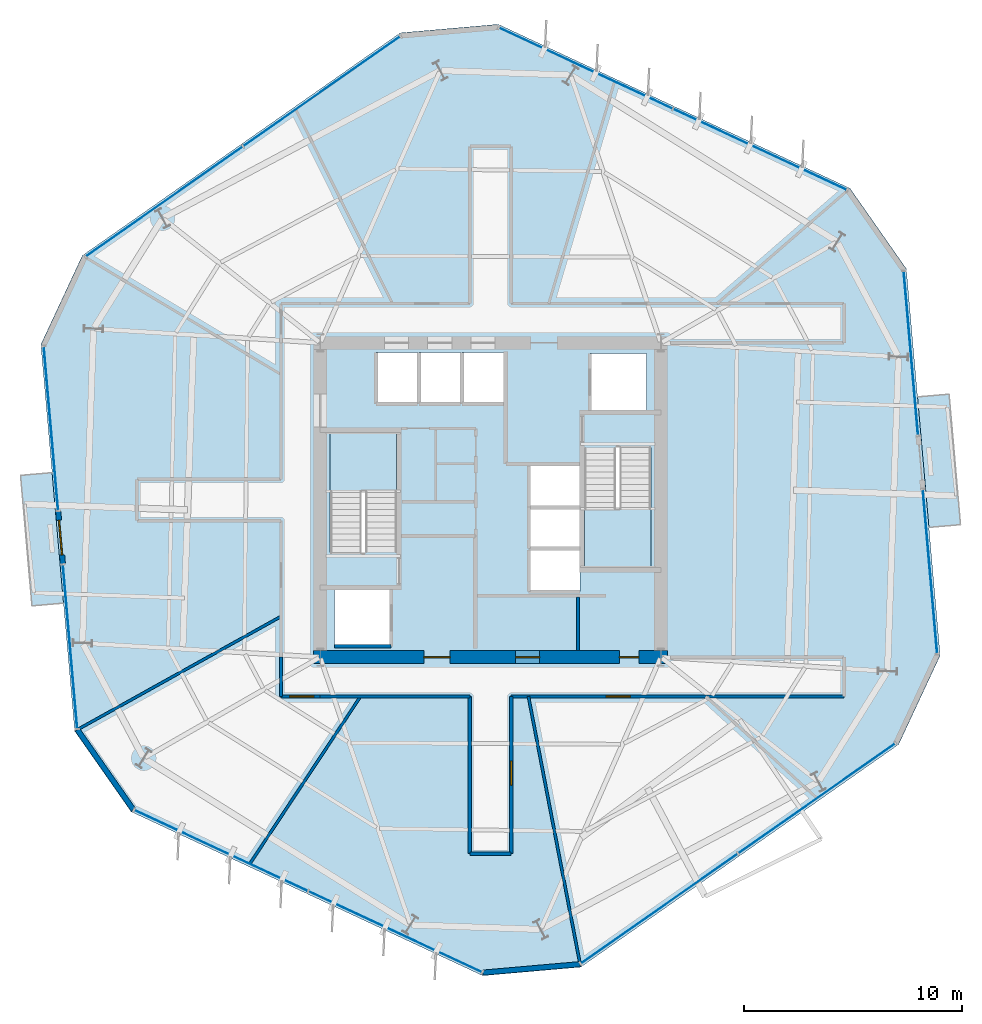
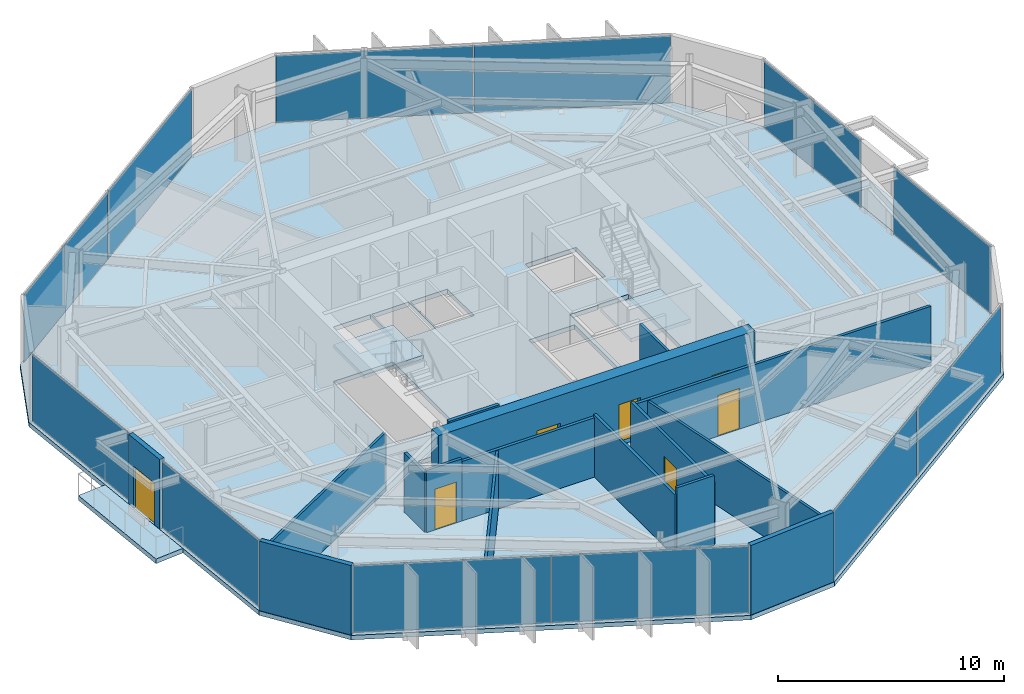
# One storey, part 6 of 13: 16 walls, 12 plates, 7 doors, 5 slabs, 7 openings, 10 elements without a shape of their own.
"""IFC4 building model written with IfcOpenShell, lengths in metres."""

from ifc_helpers import new_model, si_unit, direction, frame, frame_2d, origin, origin_2d, place, context, subcontext, project, spatial, polyline, rectangle, outline, extrude, material, layer, layer_set, type_object, element, fill, aggregate, save


model = new_model("IFC4")

# Units and contexts
model_context = context("Model", 3, precision=1e-05, world=origin(), true_north=direction((0.0, 1.0)))
body_context = subcontext(model_context, "Body", "Model", "MODEL_VIEW")
ifc_project = project(units=[si_unit("LENGTHUNIT", "METRE"), si_unit("AREAUNIT", "SQUARE_METRE"), si_unit("VOLUMEUNIT", "CUBIC_METRE"), si_unit("PLANEANGLEUNIT", "RADIAN"), si_unit("MASSUNIT", "GRAM", prefix="KILO")], contexts=[model_context])

# Site, building, storey
site_placement = place(None, origin())
site = spatial("IfcSite", under=ifc_project, at=site_placement, CompositionType="ELEMENT")
building_placement = place(site_placement, origin())
building = spatial("IfcBuilding", under=site, at=building_placement, Name="Kranzbogen Civic Tower", CompositionType="ELEMENT")
storey_placement = place(building_placement, frame((0.0, 0.0, 162.39990234375)))
storey = spatial("IfcBuildingStorey", under=building, at=storey_placement, Name="L39", CompositionType="ELEMENT", Elevation=162.39990234375)

# Slab
ifc_material_1 = material(Name="Concrete C40/50", Category="concrete")
ifc_layer_1 = layer(ifc_material_1, 0.239990234375, Name="Concrete C40/50")
ifc_layer_set_1 = layer_set([ifc_layer_1], Name="Concrete C40/50")
slab_type_1 = type_object("IfcSlabType", Name="Composite Lower Tower Floor Slab 240 mm", PredefinedType="FLOOR", material=ifc_layer_set_1)
slab_1_placement = place(storey_placement, frame((0.0, 0.0, -0.239990234375)))
element("IfcSlab", 1, at=slab_1_placement, inside=storey, type_object=slab_type_1, Name="L39 tower floor slab", PredefinedType="FLOOR", context=body_context, shape_type="SweptSolid", body=[
    extrude(outline(polyline([(41.468017578125, 39.278076171875), (25.35205078125, 46.79296875), (20.868896484375, 46.40087890625), (6.302978515625, 36.200927734375), (4.40087890625, 32.123046875), (5.950927734375, 14.407958984375), (8.531982421875, 10.721923828125), (24.64794921875, 3.20703125), (29.131103515625, 3.59912109375), (43.697021484375, 13.799072265625), (45.59912109375, 17.876953125), (44.049072265625, 35.592041015625), (41.468017578125, 39.278076171875)]), holes=[polyline([(20.449951171875, 20.89990234375), (20.449951171875, 18.300048828125), (17.85009765625, 18.300048828125), (17.85009765625, 20.89990234375), (20.449951171875, 20.89990234375)]), polyline([(29.10009765625, 22.699951171875), (29.10009765625, 20.800048828125), (26.75, 20.800048828125), (26.75, 22.699951171875), (29.10009765625, 22.699951171875)]), polyline([(29.10009765625, 24.64990234375), (29.10009765625, 22.77490234375), (26.75, 22.77490234375), (26.75, 24.64990234375), (26.75, 24.675048828125), (26.75, 26.550048828125), (29.10009765625, 26.550048828125), (29.10009765625, 24.675048828125), (29.10009765625, 24.64990234375)]), polyline([(30.75, 27.340087890625), (30.75, 27.39990234375), (32.35009765625, 27.39990234375), (32.35009765625, 21.89990234375), (29.300048828125, 21.89990234375), (29.300048828125, 27.340087890625), (30.75, 27.340087890625)]), polyline([(19.25, 22.659912109375), (19.25, 22.60009765625), (17.64990234375, 22.60009765625), (17.64990234375, 28.10009765625), (20.699951171875, 28.10009765625), (20.699951171875, 22.659912109375), (19.25, 22.659912109375)]), polyline([(32.14990234375, 31.699951171875), (32.14990234375, 29.10009765625), (29.550048828125, 29.10009765625), (29.550048828125, 31.699951171875), (32.14990234375, 31.699951171875)]), polyline([(21.64990234375, 31.75), (21.64990234375, 29.39990234375), (19.75, 29.39990234375), (19.75, 31.75), (21.64990234375, 31.75)]), polyline([(23.625, 29.39990234375), (21.72509765625, 29.39990234375), (21.72509765625, 31.75), (23.625, 31.75), (23.625, 29.39990234375)]), polyline([(25.60009765625, 29.39990234375), (23.699951171875, 29.39990234375), (23.699951171875, 31.75), (25.60009765625, 31.75), (25.60009765625, 29.39990234375)])]), origin(), (0.0, 0.0, 1.0), 0.239990234375),
])

# Curtain wall, plates
ifc_material_2 = material(Name="Pale Anodised Aluminium", Category="aluminium")
ifc_layer_2 = layer(ifc_material_2, 0.219970703125, Name="Pale Anodised Aluminium")
ifc_layer_set_2 = layer_set([ifc_layer_2], Name="Pale Anodised Aluminium")
curtain_wall_type = type_object("IfcCurtainWallType", Name="Zone 2 Stick Curtain Wall System CW-03", PredefinedType="USERDEFINED", material=ifc_layer_set_2)
curtain_wall_1_placement = place(storey_placement, origin())
curtain_wall_1 = element("IfcCurtainWall", 2, at=curtain_wall_1_placement, inside=storey, type_object=curtain_wall_type, Name="L39 curtain wall CW-L39-F1", ObjectType="STICK CURTAIN WALL", PredefinedType="USERDEFINED")
ifc_material_3 = material(Name="Low-E Triple Glazing Glass", Category="glass")
ifc_layer_3 = layer(ifc_material_3, 0.031982421875, Name="Low-E Triple Glazing Glass")
ifc_layer_set_3 = layer_set([ifc_layer_3], Name="Low-E Triple Glazing Glass")
plate_type = type_object("IfcPlateType", Name="Insulated Low-E Glazing Panel 32 mm", PredefinedType="CURTAIN_PANEL", material=ifc_layer_set_3)
plate_1_placement = place(storey_placement, frame((37.345458984375, 41.05908203125, 0.06005859375), z_axis=(0.0, 0.0, 1.0), x_axis=(-0.906297342068, 0.422640660325, 0.0)))
plate_1 = element("IfcPlate", 3, at=plate_1_placement, type_object=plate_type, Name="CW-03 panel 1.1", PredefinedType="CURTAIN_PANEL", context=body_context, shape_type="SweptSolid", body=[
    extrude(rectangle(XDim=8.74365234375, YDim=0.028076171875, at=origin_2d()), origin(), (0.0, 0.0, 1.0), 3.639892578125),
])
plate_2_placement = place(storey_placement, frame((29.36669921875, 44.780029296875, 0.06005859375), z_axis=(0.0, 0.0, 1.0), x_axis=(-0.906297342068, 0.422640660325, 0.0)))
plate_2 = element("IfcPlate", 4, at=plate_2_placement, type_object=plate_type, Name="CW-03 panel 2.1", PredefinedType="CURTAIN_PANEL", context=body_context, shape_type="SweptSolid", body=[
    extrude(rectangle(XDim=8.74365234375, YDim=0.028076171875, at=origin_2d()), origin(), (0.0, 0.0, 1.0), 3.639892578125),
])
aggregate(curtain_wall_1, [plate_1, plate_2])

curtain_wall_2_placement = place(storey_placement, origin())
curtain_wall_2 = element("IfcCurtainWall", 5, at=curtain_wall_2_placement, inside=storey, type_object=curtain_wall_type, Name="L39 curtain wall CW-L39-F2", ObjectType="STICK CURTAIN WALL", PredefinedType="USERDEFINED")
plate_3_placement = place(storey_placement, frame((17.265380859375, 43.7216796875, 0.06005859375), z_axis=(0.0, 0.0, 1.0), x_axis=(-0.819128209285, -0.573610474759, 0.0)))
plate_3 = element("IfcPlate", 6, at=plate_3_placement, type_object=plate_type, Name="CW-03 panel 1.1", PredefinedType="CURTAIN_PANEL", context=body_context, shape_type="SweptSolid", body=[
    extrude(rectangle(XDim=8.744384765625, YDim=0.028076171875, at=origin_2d()), origin(), (0.0, 0.0, 1.0), 3.639892578125),
])
plate_4_placement = place(storey_placement, frame((10.053466796875, 38.67138671875, 0.06005859375), z_axis=(0.0, 0.0, 1.0), x_axis=(-0.819128209285, -0.573610474759, 0.0)))
plate_4 = element("IfcPlate", 7, at=plate_4_placement, type_object=plate_type, Name="CW-03 panel 2.1", PredefinedType="CURTAIN_PANEL", context=body_context, shape_type="SweptSolid", body=[
    extrude(rectangle(XDim=8.744384765625, YDim=0.028076171875, at=origin_2d()), origin(), (0.0, 0.0, 1.0), 3.639892578125),
])
aggregate(curtain_wall_2, [plate_3, plate_4])

# Curtain wall, plate
curtain_wall_3_placement = place(storey_placement, origin())
curtain_wall_3 = element("IfcCurtainWall", 8, at=curtain_wall_3_placement, inside=storey, type_object=curtain_wall_type, Name="L39 curtain wall CW-L39-F3-S1", ObjectType="STICK CURTAIN WALL", PredefinedType="USERDEFINED")
plate_5_placement = place(storey_placement, frame((4.865478515625, 28.27490234375, 0.06005859375), z_axis=(0.0, 0.0, 1.0), x_axis=(0.087121445202, -0.996197698143, 0.0)))
plate_5 = element("IfcPlate", 9, at=plate_5_placement, type_object=plate_type, Name="CW-03 panel 1.1", PredefinedType="CURTAIN_PANEL", context=body_context, shape_type="SweptSolid", body=[
    extrude(rectangle(XDim=7.512939453125, YDim=0.028076171875, at=origin_2d()), origin(), (0.0, 0.0, 1.0), 3.639892578125),
])
aggregate(curtain_wall_3, [plate_5])

curtain_wall_4_placement = place(storey_placement, origin())
curtain_wall_4 = element("IfcCurtainWall", 10, at=curtain_wall_4_placement, inside=storey, type_object=curtain_wall_type, Name="L39 curtain wall CW-L39-F3-S2", ObjectType="STICK CURTAIN WALL", PredefinedType="USERDEFINED")
plate_6_placement = place(storey_placement, frame((5.740478515625, 18.279052734375, 0.06005859375), z_axis=(0.0, 0.0, 1.0), x_axis=(0.087098710395, -0.996199686131, 0.0)))
plate_6 = element("IfcPlate", 11, at=plate_6_placement, type_object=plate_type, Name="CW-03 panel 1.1", PredefinedType="CURTAIN_PANEL", context=body_context, shape_type="SweptSolid", body=[
    extrude(rectangle(XDim=7.51513671875, YDim=0.028076171875, at=origin_2d()), origin(), (0.0, 0.0, 1.0), 3.639892578125),
])
aggregate(curtain_wall_4, [plate_6])

# Curtain wall, plates
curtain_wall_5_placement = place(storey_placement, origin())
curtain_wall_5 = element("IfcCurtainWall", 12, at=curtain_wall_5_placement, inside=storey, type_object=curtain_wall_type, Name="L39 curtain wall CW-L39-F4", ObjectType="STICK CURTAIN WALL", PredefinedType="USERDEFINED")
plate_7_placement = place(storey_placement, frame((12.654541015625, 8.94091796875, 0.06005859375), z_axis=(0.0, 0.0, 1.0), x_axis=(0.906297342068, -0.422640660325, 0.0)))
plate_7 = element("IfcPlate", 13, at=plate_7_placement, type_object=plate_type, Name="CW-03 panel 1.1", PredefinedType="CURTAIN_PANEL", context=body_context, shape_type="SweptSolid", body=[
    extrude(rectangle(XDim=8.74365234375, YDim=0.028076171875, at=origin_2d()), origin(), (0.0, 0.0, 1.0), 3.639892578125),
])
plate_8_placement = place(storey_placement, frame((20.63330078125, 5.219970703125, 0.06005859375), z_axis=(0.0, 0.0, 1.0), x_axis=(0.906297342068, -0.422640660325, 0.0)))
plate_8 = element("IfcPlate", 14, at=plate_8_placement, type_object=plate_type, Name="CW-03 panel 2.1", PredefinedType="CURTAIN_PANEL", context=body_context, shape_type="SweptSolid", body=[
    extrude(rectangle(XDim=8.74365234375, YDim=0.028076171875, at=origin_2d()), origin(), (0.0, 0.0, 1.0), 3.639892578125),
])
aggregate(curtain_wall_5, [plate_7, plate_8])

curtain_wall_6_placement = place(storey_placement, origin())
curtain_wall_6 = element("IfcCurtainWall", 15, at=curtain_wall_6_placement, inside=storey, type_object=curtain_wall_type, Name="L39 curtain wall CW-L39-F5", ObjectType="STICK CURTAIN WALL", PredefinedType="USERDEFINED")
plate_9_placement = place(storey_placement, frame((32.734619140625, 6.2783203125, 0.06005859375), z_axis=(0.0, 0.0, 1.0), x_axis=(0.819128209285, 0.573610474759, 0.0)))
plate_9 = element("IfcPlate", 16, at=plate_9_placement, type_object=plate_type, Name="CW-03 panel 1.1", PredefinedType="CURTAIN_PANEL", context=body_context, shape_type="SweptSolid", body=[
    extrude(rectangle(XDim=8.744384765625, YDim=0.028076171875, at=origin_2d()), origin(), (0.0, 0.0, 1.0), 3.639892578125),
])
plate_10_placement = place(storey_placement, frame((39.946533203125, 11.32861328125, 0.06005859375), z_axis=(0.0, 0.0, 1.0), x_axis=(0.819128209285, 0.573610474759, 0.0)))
plate_10 = element("IfcPlate", 17, at=plate_10_placement, type_object=plate_type, Name="CW-03 panel 2.1", PredefinedType="CURTAIN_PANEL", context=body_context, shape_type="SweptSolid", body=[
    extrude(rectangle(XDim=8.744384765625, YDim=0.028076171875, at=origin_2d()), origin(), (0.0, 0.0, 1.0), 3.639892578125),
])
aggregate(curtain_wall_6, [plate_9, plate_10])

# Curtain wall, plate
curtain_wall_7_placement = place(storey_placement, origin())
curtain_wall_7 = element("IfcCurtainWall", 18, at=curtain_wall_7_placement, inside=storey, type_object=curtain_wall_type, Name="L39 curtain wall CW-L39-F6-S1", ObjectType="STICK CURTAIN WALL", PredefinedType="USERDEFINED")
plate_11_placement = place(storey_placement, frame((45.134521484375, 21.72509765625, 0.06005859375), z_axis=(0.0, 0.0, 1.0), x_axis=(-0.087121445202, 0.996197698143, 0.0)))
plate_11 = element("IfcPlate", 19, at=plate_11_placement, type_object=plate_type, Name="CW-03 panel 1.1", PredefinedType="CURTAIN_PANEL", context=body_context, shape_type="SweptSolid", body=[
    extrude(rectangle(XDim=7.512939453125, YDim=0.028076171875, at=origin_2d()), origin(), (0.0, 0.0, 1.0), 3.639892578125),
])
aggregate(curtain_wall_7, [plate_11])

curtain_wall_8_placement = place(storey_placement, origin())
curtain_wall_8 = element("IfcCurtainWall", 20, at=curtain_wall_8_placement, inside=storey, type_object=curtain_wall_type, Name="L39 curtain wall CW-L39-F6-S2", ObjectType="STICK CURTAIN WALL", PredefinedType="USERDEFINED")
plate_12_placement = place(storey_placement, frame((44.259521484375, 31.720947265625, 0.06005859375), z_axis=(0.0, 0.0, 1.0), x_axis=(-0.087098710395, 0.996199686131, 0.0)))
plate_12 = element("IfcPlate", 21, at=plate_12_placement, type_object=plate_type, Name="CW-03 panel 1.1", PredefinedType="CURTAIN_PANEL", context=body_context, shape_type="SweptSolid", body=[
    extrude(rectangle(XDim=7.51513671875, YDim=0.028076171875, at=origin_2d()), origin(), (0.0, 0.0, 1.0), 3.639892578125),
])
aggregate(curtain_wall_8, [plate_12])

# Stair, slab
ifc_material_4 = material(Name="Precast concrete C40/50", Category="concrete")
stair_type_1 = type_object("IfcStairType", Name="Tower Core Pressurized Dogleg Stair 1450", PredefinedType="HALF_TURN_STAIR", material=ifc_material_4)
stair_1_placement = place(storey_placement, origin())
stair_1 = element("IfcStair", 22, at=stair_1_placement, inside=storey, type_object=stair_type_1, Name="L39 Tower Core Pressurized Stair 1", PredefinedType="HALF_TURN_STAIR")
ifc_layer_4 = layer(ifc_material_4, 0.199951171875, Name="Precast concrete C40/50")
ifc_layer_set_4 = layer_set([ifc_layer_4], Name="Precast concrete C40/50")
slab_type_2 = type_object("IfcSlabType", Name="Precast Concrete Stair Landing Slab 200 mm", PredefinedType="LANDING", material=ifc_layer_set_4)
slab_2_placement = place(storey_placement, frame((0.0, 0.0, 1.800048828125)))
slab_2 = element("IfcSlab", 23, at=slab_2_placement, type_object=slab_type_2, Name="ST-T1 landing 1", PredefinedType="LANDING", context=body_context, shape_type="SweptSolid", body=[
    extrude(outline(polyline([(20.699951171875, 25.39990234375), (20.699951171875, 28.10009765625), (17.64990234375, 28.10009765625), (17.64990234375, 25.39990234375), (20.699951171875, 25.39990234375)])), origin(), (0.0, 0.0, 1.0), 0.199951171875),
])
aggregate(stair_1, [slab_2])

stair_type_2 = type_object("IfcStairType", Name="Tower Core Secondary Dogleg Stair 1450", PredefinedType="HALF_TURN_STAIR", material=ifc_material_4)
stair_2_placement = place(storey_placement, origin())
stair_2 = element("IfcStair", 24, at=stair_2_placement, inside=storey, type_object=stair_type_2, Name="L39 Tower Core Pressurized Stair 2", PredefinedType="HALF_TURN_STAIR")
slab_3_placement = place(storey_placement, frame((0.0, 0.0, 1.800048828125)))
slab_3 = element("IfcSlab", 25, at=slab_3_placement, type_object=slab_type_2, Name="ST-T2 landing 1", PredefinedType="LANDING", context=body_context, shape_type="SweptSolid", body=[
    extrude(outline(polyline([(29.300048828125, 24.60009765625), (29.300048828125, 21.89990234375), (32.35009765625, 21.89990234375), (32.35009765625, 24.60009765625), (29.300048828125, 24.60009765625)])), origin(), (0.0, 0.0, 1.0), 0.199951171875),
])
aggregate(stair_2, [slab_3])

# Slabs
ifc_layer_5 = layer(ifc_material_1, 0.25, Name="Concrete C40/50")
ifc_layer_set_5 = layer_set([ifc_layer_5], Name="Concrete C40/50")
slab_type_3 = type_object("IfcSlabType", Name="Tree Balcony Cantilevered Slab 250 mm", PredefinedType="FLOOR", material=ifc_layer_set_5)
slab_4_placement = place(storey_placement, frame((0.0, 0.0, -0.25)))
element("IfcSlab", 26, at=slab_4_placement, inside=storey, type_object=slab_type_3, Name="L39 cantilevered tree balcony L39-TB1", PredefinedType="FLOOR", context=body_context, shape_type="SweptSolid", body=[
    extrude(outline(polyline([(45.0859375, 23.74609375), (44.56298828125, 29.722900390625), (46.007080078125, 29.84912109375), (46.530029296875, 23.8720703125), (45.0859375, 23.74609375)])), origin(), (0.0, 0.0, 1.0), 0.25),
])
slab_5_placement = place(storey_placement, frame((0.0, 0.0, -0.25)))
element("IfcSlab", 27, at=slab_5_placement, inside=storey, type_object=slab_type_3, Name="L39 cantilevered tree balcony L39-TB2", PredefinedType="FLOOR", context=body_context, shape_type="SweptSolid", body=[
    extrude(outline(polyline([(4.9140625, 26.25390625), (5.43701171875, 20.277099609375), (3.992919921875, 20.15087890625), (3.469970703125, 26.1279296875), (4.9140625, 26.25390625)])), origin(), (0.0, 0.0, 1.0), 0.25),
])

# Wall, opening, door
ifc_material_5 = material(Name="Double-Stud Acoustic Gypsum Partition")
ifc_layer_6 = layer(ifc_material_5, 0.14990234375, Name="Double-Stud Acoustic Gypsum Partition")
ifc_layer_set_6 = layer_set([ifc_layer_6], Name="Double-Stud Acoustic Gypsum Partition")
wall_type_1 = type_object("IfcWallType", Name="Acoustic Corridor and Clinical Partition 150 mm", PredefinedType="PARTITIONING", material=ifc_layer_set_6)
wall_1_placement = place(storey_placement, frame((17.199951171875, 16.0, 0.0), z_axis=(0.0, 0.0, 1.0), x_axis=(-1.0, 0.0, 0.0)))
wall_1 = element("IfcWall", 28, at=wall_1_placement, inside=storey, type_object=wall_type_1, Name="L39 corridor partition 01", PredefinedType="PARTITIONING", context=body_context, shape_type="SweptSolid", body=[
    extrude(rectangle(XDim=1.800048828125, YDim=0.14990234375, at=frame_2d((0.89990234375, 0.0))), origin(), (0.0, 0.0, 1.0), 3.360107421875),
])
opening_1_placement = place(wall_1_placement, frame((0.287109375, 0.0, 0.0)))
opening_1 = element("IfcOpeningElement", 29, at=opening_1_placement, cuts=wall_1, Name="Opening D-COR60", PredefinedType="OPENING", context=body_context, shape_type="SweptSolid", body=[
    extrude(rectangle(XDim=1.10009765625, YDim=2.199951171875, at=frame_2d((0.550048828125, 1.10009765625))), frame((0.0, 0.0849609375, 0.0), z_axis=(0.0, -1.0, 0.0), x_axis=(1.0, 0.0, 0.0)), (0.0, 0.0, 1.0), 0.169921875),
])
ifc_material_6 = material(Name="Oak Timber and Fire Core", Category="wood")
door_type_1 = type_object("IfcDoorType", Name="Corridor Acoustic Fire Door 1100x2200", OperationType="NOTDEFINED", PredefinedType="DOOR", material=ifc_material_6)
door_1_placement = place(opening_1_placement, origin())
door_1 = element("IfcDoor", 30, at=door_1_placement, inside=storey, type_object=door_type_1, Name="L39 Executive Briefing Conference Room door", OperationType="SINGLE_SWING_RIGHT", OverallHeight=2.199951171875, OverallWidth=1.10009765625, PredefinedType="DOOR", context=body_context, shape_type="SweptSolid", body=[
    extrude(rectangle(XDim=1.10009765625, YDim=2.199951171875, at=frame_2d((0.550048828125, 1.10009765625))), frame((0.0, 0.02490234375, 0.0), z_axis=(0.0, -1.0, 0.0), x_axis=(1.0, 0.0, 0.0)), (0.0, 0.0, 1.0), 0.050048828125),
])
fill(opening_1, door_1)

# Wall
wall_2_placement = place(storey_placement, frame((15.39990234375, 16.0, 0.0), z_axis=(0.0, 0.0, 1.0), x_axis=(0.0, 1.0, 0.0)))
element("IfcWall", 31, at=wall_2_placement, inside=storey, type_object=wall_type_1, Name="L39 corridor partition 02", PredefinedType="PARTITIONING", context=body_context, shape_type="SweptSolid", body=[
    extrude(rectangle(XDim=1.800048828125, YDim=0.14990234375, at=frame_2d((0.89990234375, 0.0))), origin(), (0.0, 0.0, 1.0), 3.210205078125),
])

# Wall, opening, door
wall_3_placement = place(storey_placement, frame((41.199951171875, 16.0, 0.0), z_axis=(0.0, 0.0, 1.0), x_axis=(-1.0, 0.0, 0.0)))
wall_3 = element("IfcWall", 32, at=wall_3_placement, inside=storey, type_object=wall_type_1, Name="L39 corridor partition 19", PredefinedType="PARTITIONING", context=body_context, shape_type="SweptSolid", body=[
    extrude(rectangle(XDim=15.25, YDim=0.14990234375, at=frame_2d((7.625, 0.0))), origin(), (0.0, 0.0, 1.0), 3.210205078125),
])
opening_2_placement = place(wall_3_placement, frame((9.7919921875, 0.0, 0.0)))
opening_2 = element("IfcOpeningElement", 33, at=opening_2_placement, cuts=wall_3, Name="Opening D-COR60", PredefinedType="OPENING", context=body_context, shape_type="SweptSolid", body=[
    extrude(rectangle(XDim=1.10009765625, YDim=2.199951171875, at=frame_2d((0.550048828125, 1.10009765625))), frame((0.0, 0.0849609375, 0.0), z_axis=(0.0, -1.0, 0.0), x_axis=(1.0, 0.0, 0.0)), (0.0, 0.0, 1.0), 0.169921875),
])
door_2_placement = place(opening_2_placement, origin())
door_2 = element("IfcDoor", 34, at=door_2_placement, inside=storey, type_object=door_type_1, Name="L39 Policy Seminar Room door", OperationType="SINGLE_SWING_RIGHT", OverallHeight=2.199951171875, OverallWidth=1.10009765625, PredefinedType="DOOR", context=body_context, shape_type="SweptSolid", body=[
    extrude(rectangle(XDim=1.10009765625, YDim=2.199951171875, at=frame_2d((0.550048828125, 1.10009765625))), frame((0.0, 0.02490234375, 0.0), z_axis=(0.0, -1.0, 0.0), x_axis=(1.0, 0.0, 0.0)), (0.0, 0.0, 1.0), 0.050048828125),
])
fill(opening_2, door_2)

wall_4_placement = place(storey_placement, frame((25.949951171875, 16.0, 0.0), z_axis=(0.0, 0.0, 1.0), x_axis=(0.0, -1.0, 0.0)))
wall_4 = element("IfcWall", 35, at=wall_4_placement, inside=storey, type_object=wall_type_1, Name="L39 corridor partition 20", PredefinedType="PARTITIONING", context=body_context, shape_type="SweptSolid", body=[
    extrude(rectangle(XDim=7.199951171875, YDim=0.14990234375, at=frame_2d((3.60009765625, 0.0))), origin(), (0.0, 0.0, 1.0), 3.360107421875),
])
opening_3_placement = place(wall_4_placement, frame((2.9619140625, 0.0, 0.0)))
opening_3 = element("IfcOpeningElement", 36, at=opening_3_placement, cuts=wall_4, Name="Opening D-COR60", PredefinedType="OPENING", context=body_context, shape_type="SweptSolid", body=[
    extrude(rectangle(XDim=1.10009765625, YDim=2.199951171875, at=frame_2d((0.550048828125, 1.10009765625))), frame((0.0, 0.0849609375, 0.0), z_axis=(0.0, -1.0, 0.0), x_axis=(1.0, 0.0, 0.0)), (0.0, 0.0, 1.0), 0.169921875),
])
door_3_placement = place(opening_3_placement, origin())
door_3 = element("IfcDoor", 37, at=door_3_placement, inside=storey, type_object=door_type_1, Name="L39 Parliamentary Review Boardroom door", OperationType="SINGLE_SWING_LEFT", OverallHeight=2.199951171875, OverallWidth=1.10009765625, PredefinedType="DOOR", context=body_context, shape_type="SweptSolid", body=[
    extrude(rectangle(XDim=1.10009765625, YDim=2.199951171875, at=frame_2d((0.550048828125, 1.10009765625))), frame((0.0, 0.02490234375, 0.0), z_axis=(0.0, -1.0, 0.0), x_axis=(1.0, 0.0, 0.0)), (0.0, 0.0, 1.0), 0.050048828125),
])
fill(opening_3, door_3)

# Walls
wall_5_placement = place(storey_placement, frame((25.949951171875, 8.800048828125, 0.0), z_axis=(0.0, 0.0, 1.0), x_axis=(-1.0, 0.0, 0.0)))
element("IfcWall", 38, at=wall_5_placement, inside=storey, type_object=wall_type_1, Name="L39 corridor partition 21", PredefinedType="PARTITIONING", context=body_context, shape_type="SweptSolid", body=[
    extrude(rectangle(XDim=1.89990234375, YDim=0.14990234375, at=frame_2d((0.949951171875, 0.0))), origin(), (0.0, 0.0, 1.0), 3.760009765625),
])
wall_6_placement = place(storey_placement, frame((24.050048828125, 8.800048828125, 0.0), z_axis=(0.0, 0.0, 1.0), x_axis=(0.0, 1.0, 0.0)))
element("IfcWall", 39, at=wall_6_placement, inside=storey, type_object=wall_type_1, Name="L39 corridor partition 22", PredefinedType="PARTITIONING", context=body_context, shape_type="SweptSolid", body=[
    extrude(rectangle(XDim=7.199951171875, YDim=0.14990234375, at=frame_2d((3.60009765625, 0.0))), origin(), (0.0, 0.0, 1.0), 3.360107421875),
])
wall_7_placement = place(storey_placement, frame((24.050048828125, 16.0, 0.0), z_axis=(0.0, 0.0, 1.0), x_axis=(-1.0, 0.0, 0.0)))
element("IfcWall", 40, at=wall_7_placement, inside=storey, type_object=wall_type_1, Name="L39 corridor partition 23", PredefinedType="PARTITIONING", context=body_context, shape_type="SweptSolid", body=[
    extrude(rectangle(XDim=6.85009765625, YDim=0.14990234375, at=frame_2d((3.425048828125, 0.0))), origin(), (0.0, 0.0, 1.0), 3.210205078125),
])
ifc_material_7 = material(Name="Insulated Metal-Stud Gypsum Partition")
ifc_layer_7 = layer(ifc_material_7, 0.125, Name="Insulated Metal-Stud Gypsum Partition")
ifc_layer_set_7 = layer_set([ifc_layer_7], Name="Insulated Metal-Stud Gypsum Partition")
wall_type_2 = type_object("IfcWallType", Name="Acoustic Inter-Room Partition 125 mm", PredefinedType="PARTITIONING", material=ifc_layer_set_7)
wall_8_placement = place(storey_placement, frame((29.010009765625, 18.10009765625, 0.0), z_axis=(0.0, 0.0, 1.0), x_axis=(0.0, 1.0, 0.0)))
element("IfcWall", 41, at=wall_8_placement, inside=storey, type_object=wall_type_2, Name="L39 core auxiliary partition 1", PredefinedType="PARTITIONING", context=body_context, shape_type="SweptSolid", body=[
    extrude(rectangle(XDim=2.449951171875, YDim=0.125, at=frame_2d((1.22509765625, 0.0))), origin(), (0.0, 0.0, 1.0), 3.760009765625),
])
wall_9_placement = place(storey_placement, frame((15.39990234375, 19.662109375, 0.0), z_axis=(0.0, 0.0, 1.0), x_axis=(-0.873962612359, -0.48599316065, 0.0)))
element("IfcWall", 42, at=wall_9_placement, inside=storey, type_object=wall_type_2, Name="L39 radial room partition 05", PredefinedType="PARTITIONING", context=body_context, shape_type="SweptSolid", body=[
    extrude(rectangle(XDim=10.65234375, YDim=0.125, at=frame_2d((5.326171875, 0.0))), origin(), (0.0, 0.0, 1.0), 3.16015625),
])
wall_10_placement = place(storey_placement, frame((19.0458984375, 16.0, 0.0), z_axis=(0.0, 0.0, 1.0), x_axis=(-0.551726848641, -0.834024870426, 0.0)))
element("IfcWall", 43, at=wall_10_placement, inside=storey, type_object=wall_type_2, Name="L39 radial room partition 06", PredefinedType="PARTITIONING", context=body_context, shape_type="SweptSolid", body=[
    extrude(rectangle(XDim=9.181884765625, YDim=0.125, at=frame_2d((4.5908203125, 0.0))), origin(), (0.0, 0.0, 1.0), 3.16015625),
])
wall_11_placement = place(storey_placement, frame((26.737060546875, 16.0, 0.0), z_axis=(0.0, 0.0, 1.0), x_axis=(0.189557453442, -0.981869630778, 0.0)))
element("IfcWall", 44, at=wall_11_placement, inside=storey, type_object=wall_type_2, Name="L39 radial room partition 07", PredefinedType="PARTITIONING", context=body_context, shape_type="SweptSolid", body=[
    extrude(rectangle(XDim=12.47119140625, YDim=0.125, at=frame_2d((6.235595703125, 0.0))), origin(), (0.0, 0.0, 1.0), 3.16015625),
])

# Wall, openings, doors
ifc_material_8 = material(Name="Concrete C55/67", Category="concrete")
ifc_layer_8 = layer(ifc_material_8, 0.60009765625, Name="Concrete C55/67")
ifc_layer_set_8 = layer_set([ifc_layer_8], Name="Concrete C55/67")
wall_type_3 = type_object("IfcWallType", Name="Central Core Shear Wall 600 mm", PredefinedType="SHEAR", material=ifc_layer_set_8)
wall_12_placement = place(storey_placement, frame((16.89990234375, 17.800048828125, 0.0), z_axis=(0.0, 0.0, 1.0), x_axis=(1.0, 0.0, 0.0)))
wall_12 = element("IfcWall", 45, at=wall_12_placement, inside=storey, type_object=wall_type_3, Name="L39 central core South shear wall", PredefinedType="SHEAR", context=body_context, shape_type="SweptSolid", body=[
    extrude(rectangle(XDim=16.2001953125, YDim=0.60009765625, at=frame_2d((8.10009765625, 0.0))), origin(), (0.0, 0.0, 1.0), 3.760009765625),
])
opening_4_placement = place(wall_12_placement, frame((5.050048828125, 0.0, 0.0)))
opening_4 = element("IfcOpeningElement", 46, at=opening_4_placement, cuts=wall_12, Name="Opening D-EX120", PredefinedType="OPENING", context=body_context, shape_type="SweptSolid", body=[
    extrude(rectangle(XDim=1.199951171875, YDim=2.25, at=frame_2d((0.60009765625, 1.125))), frame((0.0, 0.31005859375, 0.0), z_axis=(0.0, -1.0, 0.0), x_axis=(1.0, 0.0, 0.0)), (0.0, 0.0, 1.0), 0.6201171875),
])
opening_5_placement = place(wall_12_placement, frame((14.0, 0.0, 0.0)))
opening_5 = element("IfcOpeningElement", 47, at=opening_5_placement, cuts=wall_12, Name="Opening D-WC90", PredefinedType="OPENING", context=body_context, shape_type="SweptSolid", body=[
    extrude(rectangle(XDim=0.89990234375, YDim=2.10009765625, at=frame_2d((0.449951171875, 1.050048828125))), frame((0.0, 0.31005859375, 0.0), z_axis=(0.0, -1.0, 0.0), x_axis=(1.0, 0.0, 0.0)), (0.0, 0.0, 1.0), 0.6201171875),
])
opening_6_placement = place(wall_12_placement, frame((9.25, 0.0, 0.0)))
opening_6 = element("IfcOpeningElement", 48, at=opening_6_placement, cuts=wall_12, Name="Opening D-COR60", PredefinedType="OPENING", context=body_context, shape_type="SweptSolid", body=[
    extrude(rectangle(XDim=1.10009765625, YDim=2.199951171875, at=frame_2d((0.550048828125, 1.10009765625))), frame((0.0, 0.31005859375, 0.0), z_axis=(0.0, -1.0, 0.0), x_axis=(1.0, 0.0, 0.0)), (0.0, 0.0, 1.0), 0.6201171875),
])
door_4_placement = place(opening_6_placement, origin())
door_4 = element("IfcDoor", 49, at=door_4_placement, inside=storey, type_object=door_type_1, Name="L39 REC1 archive room door", OperationType="SINGLE_SWING_LEFT", OverallHeight=2.199951171875, OverallWidth=1.10009765625, PredefinedType="DOOR", context=body_context, shape_type="SweptSolid", body=[
    extrude(rectangle(XDim=1.10009765625, YDim=2.199951171875, at=frame_2d((0.550048828125, 1.10009765625))), frame((0.0, 0.02490234375, 0.0), z_axis=(0.0, -1.0, 0.0), x_axis=(1.0, 0.0, 0.0)), (0.0, 0.0, 1.0), 0.050048828125),
])
fill(opening_6, door_4)
ifc_material_9 = material(Name="Steel S355", Category="steel")
door_type_2 = type_object("IfcDoorType", Name="Exit Passageway Fire Door 1200x2250", OperationType="NOTDEFINED", PredefinedType="DOOR", material=ifc_material_9)
door_5_placement = place(opening_4_placement, origin())
door_5 = element("IfcDoor", 50, at=door_5_placement, inside=storey, type_object=door_type_2, Name="L39 West firefighting lobby corridor door", OperationType="SINGLE_SWING_RIGHT", OverallHeight=2.25, OverallWidth=1.199951171875, PredefinedType="DOOR", context=body_context, shape_type="SweptSolid", body=[
    extrude(rectangle(XDim=1.199951171875, YDim=2.25, at=frame_2d((0.60009765625, 1.125))), frame((0.0, 0.02490234375, 0.0), z_axis=(0.0, -1.0, 0.0), x_axis=(1.0, 0.0, 0.0)), (0.0, 0.0, 1.0), 0.050048828125),
])
fill(opening_4, door_5)
ifc_material_10 = material(Name="Moisture-Resistant Laminate")
door_type_3 = type_object("IfcDoorType", Name="Standard Restroom and Store Door 900x2100", OperationType="NOTDEFINED", PredefinedType="DOOR", material=ifc_material_10)
door_6_placement = place(opening_5_placement, origin())
door_6 = element("IfcDoor", 51, at=door_6_placement, inside=storey, type_object=door_type_3, Name="L39 East electrical riser access door", OperationType="SINGLE_SWING_RIGHT", OverallHeight=2.10009765625, OverallWidth=0.89990234375, PredefinedType="DOOR", context=body_context, shape_type="SweptSolid", body=[
    extrude(rectangle(XDim=0.89990234375, YDim=2.10009765625, at=frame_2d((0.449951171875, 1.050048828125))), frame((0.0, 0.02490234375, 0.0), z_axis=(0.0, -1.0, 0.0), x_axis=(1.0, 0.0, 0.0)), (0.0, 0.0, 1.0), 0.050048828125),
])
fill(opening_5, door_6)

# Wall
ifc_material_11 = material(Name="Gypsum Fireboard Shaftliner")
ifc_layer_9 = layer(ifc_material_11, 0.175048828125, Name="Gypsum Fireboard Shaftliner")
ifc_layer_set_9 = layer_set([ifc_layer_9], Name="Gypsum Fireboard Shaftliner")
wall_type_4 = type_object("IfcWallType", Name="Fire-Rated Lift and Service Shaft Wall 175 mm", PredefinedType="PARTITIONING", material=ifc_layer_set_9)
wall_13_placement = place(storey_placement, frame((17.85009765625, 18.300048828125, 0.0), z_axis=(0.0, 0.0, 1.0), x_axis=(1.0, 0.0, 0.0)))
element("IfcWall", 52, at=wall_13_placement, inside=storey, type_object=wall_type_4, Name="L39 lift FF-01 side wall", PredefinedType="PARTITIONING", context=body_context, shape_type="SweptSolid", body=[
    extrude(rectangle(XDim=2.599853515625, YDim=0.175048828125, at=frame_2d((1.2998046875, 0.0))), origin(), (0.0, 0.0, 1.0), 3.760009765625),
])

# Wall, opening, door
ifc_layer_10 = layer(ifc_material_2, 0.239990234375, Name="Pale Anodised Aluminium")
ifc_layer_set_10 = layer_set([ifc_layer_10], Name="Pale Anodised Aluminium")
wall_type_5 = type_object("IfcWallType", Name="Insulated Aluminium Facade Portal Wall 240 mm", PredefinedType="STANDARD", material=ifc_layer_set_10)
wall_14_placement = place(storey_placement, frame((5.197998046875, 24.472900390625, 0.0), z_axis=(0.0, 0.0, 1.0), x_axis=(0.087481150874, -0.996166175014, 0.0)))
wall_14 = element("IfcWall", 53, at=wall_14_placement, inside=storey, type_object=wall_type_5, Name="L39 exterior entrance portal wall 1", PredefinedType="STANDARD", context=body_context, shape_type="SweptSolid", body=[
    extrude(rectangle(XDim=2.400146484375, YDim=0.239990234375, at=frame_2d((1.2001953125, 0.0))), origin(), (0.0, 0.0, 1.0), 3.760009765625),
])
opening_7_placement = place(wall_14_placement, frame((0.39990234375, 0.0, 0.0)))
opening_7 = element("IfcOpeningElement", 54, at=opening_7_placement, cuts=wall_14, Name="Opening D-TER", PredefinedType="OPENING", context=body_context, shape_type="SweptSolid", body=[
    extrude(rectangle(XDim=1.60009765625, YDim=2.25, at=frame_2d((0.800048828125, 1.125))), frame((0.0, 0.1298828125, 0.0), z_axis=(0.0, -1.0, 0.0), x_axis=(1.0, 0.0, 0.0)), (0.0, 0.0, 1.0), 0.260009765625),
])
ifc_material_12 = material(Name="Anodised Bronze and Triple Glass", Category="glass")
door_type_4 = type_object("IfcDoorType", Name="Glazed Terrace and Balcony Double Door 1600x2250", OperationType="DOUBLE_DOOR_SINGLE_SWING", PredefinedType="DOOR", material=ifc_material_12)
door_7_placement = place(opening_7_placement, frame((1.60009765625, 0.0, 0.0), z_axis=(0.0, 0.0, 1.0), x_axis=(-1.0, 0.0, 0.0)))
door_7 = element("IfcDoor", 55, at=door_7_placement, inside=storey, type_object=door_type_4, Name="L39 tree balcony access door L39-TB2", OperationType="DOUBLE_DOOR_SINGLE_SWING", OverallHeight=2.25, OverallWidth=1.60009765625, PredefinedType="DOOR", context=body_context, shape_type="SweptSolid", body=[
    extrude(rectangle(XDim=1.60009765625, YDim=2.25, at=frame_2d((0.800048828125, 1.125))), frame((0.0, 0.02490234375, 0.0), z_axis=(0.0, -1.0, 0.0), x_axis=(1.0, 0.0, 0.0)), (0.0, 0.0, 1.0), 0.050048828125),
])
fill(opening_7, door_7)

# Walls
wall_15_placement = place(storey_placement, frame((6.072998046875, 14.47607421875, 0.0), z_axis=(0.0, 0.0, 1.0), x_axis=(0.57368221041, -0.819077970317, 0.0)))
element("IfcWall", 56, at=wall_15_placement, inside=storey, type_object=wall_type_5, Name="L39 chamfered corner facade spandrel 3", PredefinedType="STANDARD", context=body_context, shape_type="SweptSolid", body=[
    extrude(rectangle(XDim=4.470947265625, YDim=0.239990234375, at=frame_2d((2.2353515625, 0.0))), origin(), (0.0, 0.0, 1.0), 3.760009765625),
])
wall_16_placement = place(storey_placement, frame((24.64990234375, 3.346923828125, 0.0), z_axis=(0.0, 0.0, 1.0), x_axis=(0.996204852099, 0.087039603938, 0.0)))
element("IfcWall", 57, at=wall_16_placement, inside=storey, type_object=wall_type_5, Name="L39 chamfered corner facade spandrel 4", PredefinedType="STANDARD", context=body_context, shape_type="SweptSolid", body=[
    extrude(rectangle(XDim=4.47119140625, YDim=0.239990234375, at=frame_2d((2.235595703125, 0.0))), origin(), (0.0, 0.0, 1.0), 3.760009765625),
])

save(model, "model.ifc")
